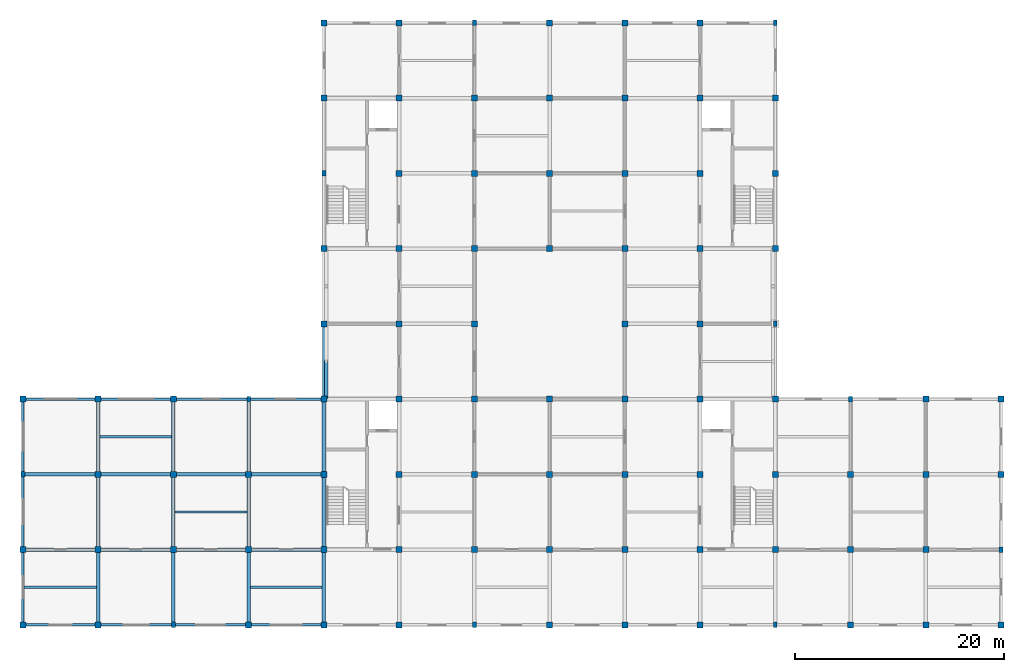
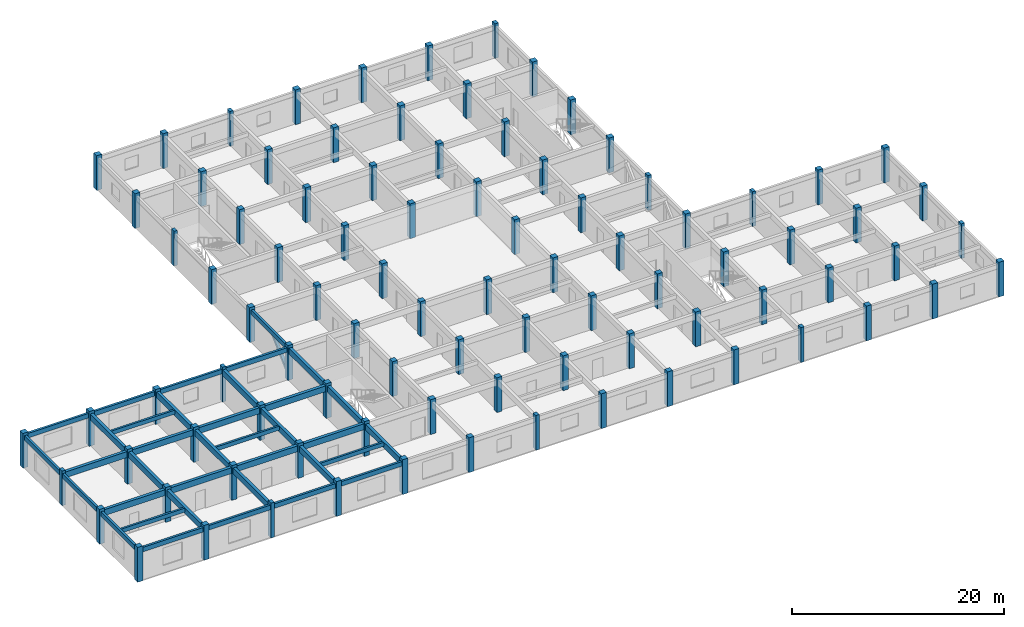
# One storey, part 1 of 10: 90 columns, 36 beams, 1 member.
"""IFC4 building model written with IfcOpenShell, lengths in metres."""

import ifcopenshell
import ifcopenshell.guid

model = None  # the IFC model being written
_history = None  # IfcOwnerHistory: only IFC2X3 demands one
_inside = {}  # id of a spatial element -> (the spatial element, [elements in it])
_under = {}  # id of a project, library or spatial element -> (it, [spatial elements below it])
_declared = {}  # id of a project -> (the project, [libraries it declares])
_typed = {}  # id of a type object -> (the type object, [elements of that type])
_made_of = {}  # id of a material, layer set ... -> (it, [elements and type objects made of it])


def new_model(schema):
    """Start an empty IFC model of exactly this schema.

    Asked for "IFC4X3", IfcOpenShell would pick the latest addendum, in which some entities
    have other attributes; the version numbers below select the first issue.
    IFC2X3 requires an IfcOwnerHistory on every rooted entity: one is made here for all.
    """
    global model, _history
    if schema == "IFC4X3":
        model = ifcopenshell.file(schema_version=(4, 3, 0, 0))
    else:
        model = ifcopenshell.file(schema=schema)
    _inside.clear()
    _under.clear()
    _declared.clear()
    _typed.clear()
    _made_of.clear()
    _history = None
    if model.schema == "IFC2X3":
        org = make("IfcOrganization", Name="unknown")
        user = make(
            "IfcPersonAndOrganization",
            ThePerson=make("IfcPerson", FamilyName="unknown"),
            TheOrganization=org,
        )
        app = make(
            "IfcApplication",
            ApplicationDeveloper=org,
            Version="unknown",
            ApplicationFullName="unknown",
            ApplicationIdentifier="unknown",
        )
        _history = make(
            "IfcOwnerHistory",
            OwningUser=user,
            OwningApplication=app,
            ChangeAction="ADDED",
            CreationDate=0,
        )
    return model


def make(cls, **values):
    """One entity of the class cls with the attributes given. An attribute that is None is left unset."""
    return model.create_entity(
        cls, **{name: value for name, value in values.items() if value is not None}
    )


def rooted(cls, **values):
    """An entity with a GlobalId (a new one), such as an element, a storey or a relation."""
    return make(cls, GlobalId=ifcopenshell.guid.new(), OwnerHistory=_history, **values)


def si_unit(unit_type, name, prefix=None):
    """IfcSIUnit, for example si_unit("LENGTHUNIT", "METRE", prefix="MILLI")."""
    return make("IfcSIUnit", UnitType=unit_type, Prefix=prefix, Name=name)


def assignment(units):
    """IfcUnitAssignment: the units of a project."""
    return None if units is None else make("IfcUnitAssignment", Units=units)


def point(xyz):
    """IfcCartesianPoint."""
    return None if xyz is None else make("IfcCartesianPoint", Coordinates=xyz)


def direction(xyz):
    """IfcDirection."""
    return None if xyz is None else make("IfcDirection", DirectionRatios=xyz)


def frame(location, z_axis=None, x_axis=None):
    """IfcAxis2Placement3D, a coordinate frame: its origin and axes. An axis left out is left unset."""
    return make(
        "IfcAxis2Placement3D",
        Location=point(location),
        Axis=direction(z_axis),
        RefDirection=direction(x_axis),
    )


def frame_2d(location, x_axis=None):
    """IfcAxis2Placement2D, a coordinate frame in the plane: its origin and x axis."""
    return make(
        "IfcAxis2Placement2D", Location=point(location), RefDirection=direction(x_axis)
    )


def origin():
    """The frame at (0, 0, 0) with its axes left unset."""
    return frame((0.0, 0.0, 0.0))


def origin_2d():
    """The frame at (0, 0) in the plane with its x axis left unset."""
    return frame_2d((0.0, 0.0))


def place(relative_to, where):
    """IfcLocalPlacement: puts the frame where relative to a parent placement (None: the world)."""
    return make(
        "IfcLocalPlacement", PlacementRelTo=relative_to, RelativePlacement=where
    )


def context(
    kind, dimensions, precision=None, world=None, true_north=None, identifier=None
):
    """IfcGeometricRepresentationContext, for example the 3D "Model" context."""
    return make(
        "IfcGeometricRepresentationContext",
        ContextIdentifier=identifier,
        ContextType=kind,
        CoordinateSpaceDimension=dimensions,
        Precision=precision,
        WorldCoordinateSystem=world,
        TrueNorth=true_north,
    )


def subcontext(parent, identifier, kind, view, scale=None):
    """IfcGeometricRepresentationSubContext, for example "Body" below "Model"."""
    return make(
        "IfcGeometricRepresentationSubContext",
        ContextIdentifier=identifier,
        ContextType=kind,
        ParentContext=parent,
        TargetScale=scale,
        TargetView=view,
    )


def project(units=None, contexts=None):
    """IfcProject with its units and contexts."""
    return rooted(
        "IfcProject",
        Name="project",
        RepresentationContexts=contexts,
        UnitsInContext=assignment(units),
    )


def spatial(cls, under=None, at=None, **own):
    """A site, building, storey or space (cls), placed at a placement, below another one or the project."""
    s = rooted(cls, ObjectPlacement=at, **own)
    if under is not None:
        _under.setdefault(under.id(), (under, []))[1].append(s)
    return s


def profile(cls, at=None, kind="AREA", **sizes):
    """A parametric profile (cls). Its sizes go by their IFC names, for example OverallWidth=200.0."""
    return make(cls, ProfileType=kind, Position=at, **sizes)


def rectangle(**sizes):
    """IfcRectangleProfileDef."""
    return profile("IfcRectangleProfileDef", **sizes)


def extrude(swept, where, along, depth):
    """IfcExtrudedAreaSolid: the profile swept, set in the frame where, extruded along a direction by depth."""
    return make(
        "IfcExtrudedAreaSolid",
        SweptArea=swept,
        Position=where,
        ExtrudedDirection=direction(along),
        Depth=depth,
    )


def shape(context_of_items, identifier, shape_type, items):
    """IfcShapeRepresentation: the items that make up one representation, for example the "Body"."""
    return make(
        "IfcShapeRepresentation",
        ContextOfItems=context_of_items,
        RepresentationIdentifier=identifier,
        RepresentationType=shape_type,
        Items=items,
    )


def material(Name=None, Category=None):
    """IfcMaterial."""
    return make("IfcMaterial", Name=Name, Category=Category)


def material_profile(
    of_material, cross_section, Name=None, Category=None, Priority=None
):
    """IfcMaterialProfile: a cross section and its material."""
    return make(
        "IfcMaterialProfile",
        Name=Name,
        Material=of_material,
        Profile=cross_section,
        Priority=Priority,
        Category=Category,
    )


def profile_set(profiles, Name=None, composite=None):
    """IfcMaterialProfileSet."""
    return make(
        "IfcMaterialProfileSet",
        Name=Name,
        MaterialProfiles=profiles,
        CompositeProfile=composite,
    )


def made_of(thing, what):
    """Note that an element or type object is made of a material, layer set ...; save() writes the relation."""
    if what is not None:
        _made_of.setdefault(what.id(), (what, []))[1].append(thing)
    return thing


def type_object(cls, material=None, **own):
    """A type object (cls), such as IfcWallType, which elements share."""
    return made_of(rooted(cls, **own), material)


def element(
    cls,
    number,
    at=None,
    inside=None,
    cuts=None,
    type_object=None,
    material=None,
    context=None,
    identifier="Body",
    shape_type=None,
    held_by="IfcProductDefinitionShape",
    body=None,
    shapes=None,
    **own,
):
    """One element of the class cls, such as IfcWall. Its Tag is "e" and its number.

    at: its placement. inside: the storey or other place that contains it. cuts: it is an
    opening in that element (IfcRelVoidsElement). A single representation is given by context,
    identifier, shape_type and body (its items); several are given by shapes. held_by: the class
    of the entity that holds the representations. save() writes the other relations.
    """
    e = rooted(cls, Tag="e%d" % number, ObjectPlacement=at, **own)
    if body is not None:
        shapes = [shape(context, identifier, shape_type, body)]
    if shapes is not None:
        e.Representation = make(held_by, Representations=shapes)
    if inside is not None:
        _inside.setdefault(inside.id(), (inside, []))[1].append(e)
    if cuts is not None:
        rooted(
            "IfcRelVoidsElement", RelatingBuildingElement=cuts, RelatedOpeningElement=e
        )
    if type_object is not None:
        _typed.setdefault(type_object.id(), (type_object, []))[1].append(e)
    return made_of(e, material)


def aggregate(whole, parts):
    """IfcRelAggregates: a whole, such as a stair, and the parts it consists of."""
    return rooted("IfcRelAggregates", RelatingObject=whole, RelatedObjects=parts)


def save(model, path):
    """Write the relations noted so far, then the file.

    IfcRelAggregates (storeys below a building ...), IfcRelContainedInSpatialStructure (elements
    in a storey), IfcRelDefinesByType, IfcRelAssociatesMaterial and IfcRelDeclares: one each for
    every whole, place, type object, material and project.
    """
    for whole, parts in _under.values():
        aggregate(whole, parts)
    for where, things in _inside.values():
        rooted(
            "IfcRelContainedInSpatialStructure",
            RelatedElements=things,
            RelatingStructure=where,
        )
    for kind, things in _typed.values():
        rooted("IfcRelDefinesByType", RelatedObjects=things, RelatingType=kind)
    for what, things in _made_of.values():
        rooted("IfcRelAssociatesMaterial", RelatedObjects=things, RelatingMaterial=what)
    for by, libraries in _declared.values():
        rooted("IfcRelDeclares", RelatingContext=by, RelatedDefinitions=libraries)
    model.write(path)


model = new_model("IFC4")

# Units and contexts
model_context = context("Model", 3, precision=1e-05, world=origin(), true_north=direction((0.0, 1.0)))
body_context = subcontext(model_context, "Body", "Model", "MODEL_VIEW")
ifc_project = project(units=[si_unit("LENGTHUNIT", "METRE"), si_unit("AREAUNIT", "SQUARE_METRE"), si_unit("VOLUMEUNIT", "CUBIC_METRE"), si_unit("PLANEANGLEUNIT", "RADIAN"), si_unit("MASSUNIT", "GRAM", prefix="KILO")], contexts=[model_context])

# Site, building, storey
site_placement = place(None, origin())
site = spatial("IfcSite", under=ifc_project, at=site_placement, CompositionType="ELEMENT")
building_placement = place(site_placement, origin())
building = spatial("IfcBuilding", under=site, at=building_placement, Name="Cendaluz Park School", CompositionType="ELEMENT")
storey_placement = place(building_placement, frame((0.0, 0.0, 38.800048828125)))
storey = spatial("IfcBuildingStorey", under=building, at=storey_placement, Name="L09", CompositionType="ELEMENT", Elevation=38.800048828125)

# Columns
ifc_material_1 = material(Name="Glulam GL32h", Category="wood")
ifc_material_profile_1 = material_profile(ifc_material_1, rectangle(XDim=0.56005859375, YDim=0.56005859375, at=origin_2d()), Name="GL32h 560x560", Category="wood")
ifc_profile_set_1 = profile_set([ifc_material_profile_1], Name="Glulam GL32h")
column_type_1 = type_object("IfcColumnType", Name="C-GL01", PredefinedType="COLUMN", material=ifc_profile_set_1)
for number, where, z_axis, x_axis, name in (
    (1, (36.0, 7.199951171875, 0.0), (0.0, 0.0, 1.0), (1.0, 0.0, 0.0), "C-L09-CGL01-001"),
    (2, (36.0, 14.39990234375, 0.0), (0.0, 0.0, 1.0), (1.0, 0.0, 0.0), "C-L09-CGL01-002"),
    (3, (36.0, 28.800048828125, 0.0), (0.0, 0.0, 1.0), (1.0, 0.0, 0.0), "C-L09-CGL01-004"),
    (4, (43.199951171875, 7.199951171875, 0.0), (0.0, 0.0, 1.0), (1.0, 0.0, 0.0), "C-L09-CGL01-005"),
    (5, (43.199951171875, 14.39990234375, 0.0), (0.0, 0.0, 1.0), (1.0, 0.0, 0.0), "C-L09-CGL01-006"),
    (6, (43.199951171875, 21.60009765625, 0.0), (0.0, 0.0, 1.0), (1.0, 0.0, 0.0), "C-L09-CGL01-007"),
    (7, (43.199951171875, 28.800048828125, 0.0), (0.0, 0.0, 1.0), (1.0, 0.0, 0.0), "C-L09-CGL01-008"),
    (8, (50.39990234375, 14.39990234375, 0.0), (0.0, 0.0, 1.0), (1.0, 0.0, 0.0), "C-L09-CGL01-010"),
    (9, (50.39990234375, 21.60009765625, 0.0), (0.0, 0.0, 1.0), (1.0, 0.0, 0.0), "C-L09-CGL01-011"),
    (10, (50.39990234375, 28.800048828125, 0.0), (0.0, 0.0, 1.0), (1.0, 0.0, 0.0), "C-L09-CGL01-012"),
    (11, (57.60009765625, 7.199951171875, 0.0), (0.0, 0.0, 1.0), (1.0, 0.0, 0.0), "C-L09-CGL01-013"),
    (12, (57.60009765625, 14.39990234375, 0.0), (0.0, 0.0, 1.0), (1.0, 0.0, 0.0), "C-L09-CGL01-014"),
    (13, (57.60009765625, 21.60009765625, 0.0), (0.0, 0.0, 1.0), (1.0, 0.0, 0.0), "C-L09-CGL01-015"),
    (14, (64.800048828125, 7.199951171875, 0.0), (0.0, 0.0, 1.0), (1.0, 0.0, 0.0), "C-L09-CGL01-017"),
    (15, (64.800048828125, 14.39990234375, 0.0), (0.0, 0.0, 1.0), (1.0, 0.0, 0.0), "C-L09-CGL01-018"),
    (16, (64.800048828125, 21.60009765625, 0.0), (0.0, 0.0, 1.0), (1.0, 0.0, 0.0), "C-L09-CGL01-019"),
    (17, (64.800048828125, 28.800048828125, 0.0), (0.0, 0.0, 1.0), (1.0, 0.0, 0.0), "C-L09-CGL01-020"),
    (18, (64.800048828125, 36.0, 0.0), (0.0, 0.0, 1.0), (1.0, 0.0, 0.0), "C-L09-CGL01-021"),
    (19, (64.800048828125, 43.199951171875, 0.0), (0.0, 0.0, 1.0), (1.0, 0.0, 0.0), "C-L09-CGL01-022"),
    (20, (64.800048828125, 57.60009765625, 0.0), (0.0, 0.0, 1.0), (1.0, 0.0, 0.0), "C-L09-CGL01-024"),
    (21, (64.800048828125, 64.800048828125, 0.0), (0.0, 0.0, 1.0), (1.0, 0.0, 0.0), "C-L09-CGL01-025"),
    (22, (72.0, 7.199951171875, 0.0), (0.0, 0.0, 1.0), (1.0, 0.0, 0.0), "C-L09-CGL01-026"),
    (23, (72.0, 14.39990234375, 0.0), (0.0, 0.0, 1.0), (1.0, 0.0, 0.0), "C-L09-CGL01-027"),
    (24, (72.0, 21.60009765625, 0.0), (0.0, 0.0, 1.0), (1.0, 0.0, 0.0), "C-L09-CGL01-028"),
    (25, (72.0, 28.800048828125, 0.0), (0.0, 0.0, 1.0), (1.0, 0.0, 0.0), "C-L09-CGL01-029"),
    (26, (72.0, 36.0, 0.0), (0.0, 0.0, 1.0), (1.0, 0.0, 0.0), "C-L09-CGL01-030"),
    (27, (72.0, 43.199951171875, 0.0), (0.0, 0.0, 1.0), (1.0, 0.0, 0.0), "C-L09-CGL01-031"),
    (28, (72.0, 50.39990234375, 0.0), (0.0, 0.0, 1.0), (1.0, 0.0, 0.0), "C-L09-CGL01-032"),
    (29, (72.0, 57.60009765625, 0.0), (0.0, 0.0, 1.0), (1.0, 0.0, 0.0), "C-L09-CGL01-033"),
    (30, (72.0, 64.800048828125, 0.0), (0.0, 0.0, 1.0), (1.0, 0.0, 0.0), "C-L09-CGL01-034"),
    (31, (79.199951171875, 14.39990234375, 0.0), (0.0, 0.0, 1.0), (1.0, 0.0, 0.0), "C-L09-CGL01-036"),
    (32, (79.199951171875, 21.60009765625, 0.0), (0.0, 0.0, 1.0), (1.0, 0.0, 0.0), "C-L09-CGL01-037"),
    (33, (79.199951171875, 28.800048828125, 0.0), (0.0, 0.0, 1.0), (1.0, 0.0, 0.0), "C-L09-CGL01-038"),
    (34, (79.199951171875, 36.0, 0.0), (0.0, 0.0, 1.0), (1.0, 0.0, 0.0), "C-L09-CGL01-039"),
    (35, (79.199951171875, 43.199951171875, 0.0), (0.0, 0.0, 1.0), (1.0, 0.0, 0.0), "C-L09-CGL01-040"),
    (36, (79.199951171875, 50.39990234375, 0.0), (0.0, 0.0, 1.0), (1.0, 0.0, 0.0), "C-L09-CGL01-041"),
    (37, (79.199951171875, 57.60009765625, 0.0), (0.0, 0.0, 1.0), (1.0, 0.0, 0.0), "C-L09-CGL01-042"),
    (38, (86.39990234375, 7.199951171875, 0.0), (0.0, 0.0, 1.0), (1.0, 0.0, 0.0), "C-L09-CGL01-044"),
    (39, (86.39990234375, 14.39990234375, 0.0), (0.0, 0.0, 1.0), (1.0, 0.0, 0.0), "C-L09-CGL01-045"),
    (40, (86.39990234375, 21.60009765625, 0.0), (0.0, 0.0, 1.0), (1.0, 0.0, 0.0), "C-L09-CGL01-046"),
    (41, (86.39990234375, 28.800048828125, 0.0), (0.0, 0.0, 1.0), (1.0, 0.0, 0.0), "C-L09-CGL01-047"),
    (42, (86.39990234375, 43.199951171875, 0.0), (0.0, 0.0, 1.0), (1.0, 0.0, 0.0), "C-L09-CGL01-048"),
    (43, (86.39990234375, 50.39990234375, 0.0), (0.0, 0.0, 1.0), (1.0, 0.0, 0.0), "C-L09-CGL01-049"),
    (44, (86.39990234375, 57.60009765625, 0.0), (0.0, 0.0, 1.0), (1.0, 0.0, 0.0), "C-L09-CGL01-050"),
    (45, (86.39990234375, 64.800048828125, 0.0), (0.0, 0.0, 1.0), (1.0, 0.0, 0.0), "C-L09-CGL01-051"),
    (46, (93.60009765625, 7.199951171875, 0.0), (0.0, 0.0, 1.0), (1.0, 0.0, 0.0), "C-L09-CGL01-052"),
    (47, (93.60009765625, 14.39990234375, 0.0), (0.0, 0.0, 1.0), (1.0, 0.0, 0.0), "C-L09-CGL01-053"),
    (48, (93.60009765625, 21.60009765625, 0.0), (0.0, 0.0, 1.0), (1.0, 0.0, 0.0), "C-L09-CGL01-054"),
    (49, (93.60009765625, 28.800048828125, 0.0), (0.0, 0.0, 1.0), (1.0, 0.0, 0.0), "C-L09-CGL01-055"),
    (50, (93.60009765625, 36.0, 0.0), (0.0, 0.0, 1.0), (1.0, 0.0, 0.0), "C-L09-CGL01-056"),
    (51, (93.60009765625, 43.199951171875, 0.0), (0.0, 0.0, 1.0), (1.0, 0.0, 0.0), "C-L09-CGL01-057"),
    (52, (93.60009765625, 50.39990234375, 0.0), (0.0, 0.0, 1.0), (1.0, 0.0, 0.0), "C-L09-CGL01-058"),
    (53, (93.60009765625, 57.60009765625, 0.0), (0.0, 0.0, 1.0), (1.0, 0.0, 0.0), "C-L09-CGL01-059"),
    (54, (93.60009765625, 64.800048828125, 0.0), (0.0, 0.0, 1.0), (1.0, 0.0, 0.0), "C-L09-CGL01-060"),
    (55, (100.800048828125, 7.199951171875, 0.0), (0.0, 0.0, 1.0), (1.0, 0.0, 0.0), "C-L09-CGL01-061"),
    (56, (100.800048828125, 14.39990234375, 0.0), (0.0, 0.0, 1.0), (1.0, 0.0, 0.0), "C-L09-CGL01-062"),
    (57, (100.800048828125, 21.60009765625, 0.0), (0.0, 0.0, 1.0), (1.0, 0.0, 0.0), "C-L09-CGL01-063"),
    (58, (100.800048828125, 28.800048828125, 0.0), (0.0, 0.0, 1.0), (1.0, 0.0, 0.0), "C-L09-CGL01-064"),
    (59, (100.800048828125, 36.0, 0.0), (0.0, 0.0, 1.0), (1.0, 0.0, 0.0), "C-L09-CGL01-065"),
    (60, (100.800048828125, 43.199951171875, 0.0), (0.0, 0.0, 1.0), (1.0, 0.0, 0.0), "C-L09-CGL01-066"),
    (61, (100.800048828125, 50.39990234375, 0.0), (0.0, 0.0, 1.0), (1.0, 0.0, 0.0), "C-L09-CGL01-067"),
    (62, (100.800048828125, 57.60009765625, 0.0), (0.0, 0.0, 1.0), (1.0, 0.0, 0.0), "C-L09-CGL01-068"),
    (63, (100.800048828125, 64.800048828125, 0.0), (0.0, 0.0, 1.0), (1.0, 0.0, 0.0), "C-L09-CGL01-069"),
    (64, (108.0, 14.39990234375, 0.0), (0.0, 0.0, 1.0), (1.0, 0.0, 0.0), "C-L09-CGL01-071"),
    (65, (108.0, 21.60009765625, 0.0), (0.0, 0.0, 1.0), (1.0, 0.0, 0.0), "C-L09-CGL01-072"),
    (66, (108.0, 28.800048828125, 0.0), (0.0, 0.0, 1.0), (1.0, 0.0, 0.0), "C-L09-CGL01-073"),
    (67, (108.0, 43.199951171875, 0.0), (0.0, 0.0, 1.0), (1.0, 0.0, 0.0), "C-L09-CGL01-075"),
    (68, (108.0, 50.39990234375, 0.0), (0.0, 0.0, 1.0), (1.0, 0.0, 0.0), "C-L09-CGL01-076"),
    (69, (108.0, 57.60009765625, 0.0), (0.0, 0.0, 1.0), (1.0, 0.0, 0.0), "C-L09-CGL01-077"),
    (70, (115.199951171875, 7.199951171875, 0.0), (0.0, 0.0, 1.0), (1.0, 0.0, 0.0), "C-L09-CGL01-079"),
    (71, (115.199951171875, 14.39990234375, 0.0), (0.0, 0.0, 1.0), (1.0, 0.0, 0.0), "C-L09-CGL01-080"),
    (72, (115.199951171875, 21.60009765625, 0.0), (0.0, 0.0, 1.0), (1.0, 0.0, 0.0), "C-L09-CGL01-081"),
    (73, (122.39990234375, 7.199951171875, 0.0), (0.0, 0.0, 1.0), (1.0, 0.0, 0.0), "C-L09-CGL01-083"),
    (74, (122.39990234375, 14.39990234375, 0.0), (0.0, 0.0, 1.0), (1.0, 0.0, 0.0), "C-L09-CGL01-084"),
    (75, (122.39990234375, 21.60009765625, 0.0), (0.0, 0.0, 1.0), (1.0, 0.0, 0.0), "C-L09-CGL01-085"),
    (76, (122.39990234375, 28.800048828125, 0.0), (0.0, 0.0, 1.0), (1.0, 0.0, 0.0), "C-L09-CGL01-086"),
    (77, (129.60009765625, 7.199951171875, 0.0), (0.0, 0.0, 1.0), (1.0, 0.0, 0.0), "C-L09-CGL01-087"),
    (78, (129.60009765625, 21.60009765625, 0.0), (0.0, 0.0, 1.0), (1.0, 0.0, 0.0), "C-L09-CGL01-089"),
    (79, (129.60009765625, 28.800048828125, 0.0), (0.0, 0.0, 1.0), (1.0, 0.0, 0.0), "C-L09-CGL01-090"),
):
    element("IfcColumn", number, at=place(storey_placement, frame(where, z_axis=z_axis, x_axis=x_axis)), inside=storey, type_object=column_type_1, Name=name, PredefinedType="COLUMN", context=body_context, shape_type="SweptSolid", body=[
        extrude(rectangle(XDim=0.56005859375, YDim=0.56005859375, at=origin_2d()), origin(), (0.0, 0.0, 1.0), 4.0),
    ])
ifc_material_profile_2 = material_profile(ifc_material_1, rectangle(XDim=0.360107421875, YDim=0.52001953125, at=origin_2d()), Name="GL32h 360x520", Category="wood")
ifc_profile_set_2 = profile_set([ifc_material_profile_2], Name="Glulam GL32h")
column_type_2 = type_object("IfcColumnType", Name="C-PL02", PredefinedType="PILASTER", material=ifc_profile_set_2)
for number, where, z_axis, x_axis, name in (
    (80, (36.0, 21.60009765625, 0.0), (0.0, 0.0, 1.0), (1.0, 0.0, 0.0), "C-L09-CPL02-003"),
    (81, (50.39990234375, 7.199951171875, 0.0), (0.0, 0.0, 1.0), (1.0, 0.0, 0.0), "C-L09-CPL02-009"),
    (82, (57.60009765625, 28.800048828125, 0.0), (0.0, 0.0, 1.0), (1.0, 0.0, 0.0), "C-L09-CPL02-016"),
    (83, (64.800048828125, 50.39990234375, 0.0), (0.0, 0.0, 1.0), (1.0, 0.0, 0.0), "C-L09-CPL02-023"),
    (84, (79.199951171875, 7.199951171875, 0.0), (0.0, 0.0, 1.0), (1.0, 0.0, 0.0), "C-L09-CPL02-035"),
    (85, (79.199951171875, 64.800048828125, 0.0), (0.0, 0.0, 1.0), (1.0, 0.0, 0.0), "C-L09-CPL02-043"),
    (86, (108.0, 7.199951171875, 0.0), (0.0, 0.0, 1.0), (1.0, 0.0, 0.0), "C-L09-CPL02-070"),
    (87, (108.0, 36.0, 0.0), (0.0, 0.0, 1.0), (1.0, 0.0, 0.0), "C-L09-CPL02-074"),
    (88, (108.0, 64.800048828125, 0.0), (0.0, 0.0, 1.0), (1.0, 0.0, 0.0), "C-L09-CPL02-078"),
    (89, (115.199951171875, 28.800048828125, 0.0), (0.0, 0.0, 1.0), (1.0, 0.0, 0.0), "C-L09-CPL02-082"),
    (90, (129.60009765625, 14.39990234375, 0.0), (0.0, 0.0, 1.0), (1.0, 0.0, 0.0), "C-L09-CPL02-088"),
):
    element("IfcColumn", number, at=place(storey_placement, frame(where, z_axis=z_axis, x_axis=x_axis)), inside=storey, type_object=column_type_2, Name=name, PredefinedType="PILASTER", context=body_context, shape_type="SweptSolid", body=[
        extrude(rectangle(XDim=0.360107421875, YDim=0.52001953125, at=origin_2d()), origin(), (0.0, 0.0, 1.0), 4.0),
    ])

# Beams
ifc_material_2 = material(Name="Glulam GL28h", Category="wood")
ifc_material_profile_3 = material_profile(ifc_material_2, rectangle(XDim=0.320068359375, YDim=0.679931640625, at=origin_2d()), Name="GL28h 320x680", Category="wood")
ifc_profile_set_3 = profile_set([ifc_material_profile_3], Name="Glulam GL28h")
beam_type_1 = type_object("IfcBeamType", Name="BM-GL01", PredefinedType="BEAM", material=ifc_profile_set_3)
beam_1_placement = place(storey_placement, frame((36.280029296875, 14.39990234375, 3.349853515625), z_axis=(1.0, 0.0, 0.0), x_axis=(0.0, 1.0, 0.0)))
element("IfcBeam", 91, at=beam_1_placement, inside=storey, type_object=beam_type_1, Name="BM-L09-BMGL01-0002", PredefinedType="BEAM", context=body_context, shape_type="SweptSolid", body=[
    extrude(rectangle(XDim=0.320068359375, YDim=0.679931640625, at=origin_2d()), origin(), (0.0, 0.0, 1.0), 6.639892578125),
])
beam_2_placement = place(storey_placement, frame((36.179931640625, 21.60009765625, 3.349853515625), z_axis=(1.0, 0.0, 0.0), x_axis=(0.0, 1.0, 0.0)))
element("IfcBeam", 92, at=beam_2_placement, inside=storey, type_object=beam_type_1, Name="BM-L09-BMGL01-0003", PredefinedType="BEAM", context=body_context, shape_type="SweptSolid", body=[
    extrude(rectangle(XDim=0.320068359375, YDim=0.679931640625, at=origin_2d()), origin(), (0.0, 0.0, 1.0), 6.739990234375),
])
for number, where, z_axis, x_axis, name in (
    (93, (43.47998046875, 14.39990234375, 3.349853515625), (1.0, 0.0, 0.0), (0.0, 1.0, 0.0), "BM-L09-BMGL01-0006"),
    (94, (43.47998046875, 21.60009765625, 3.349853515625), (1.0, 0.0, 0.0), (0.0, 1.0, 0.0), "BM-L09-BMGL01-0007"),
    (95, (50.679931640625, 14.39990234375, 3.349853515625), (1.0, 0.0, 0.0), (0.0, 1.0, 0.0), "BM-L09-BMGL01-0010"),
    (96, (50.679931640625, 21.60009765625, 3.349853515625), (1.0, 0.0, 0.0), (0.0, 1.0, 0.0), "BM-L09-BMGL01-0011"),
    (97, (57.8798828125, 14.39990234375, 3.349853515625), (1.0, 0.0, 0.0), (0.0, 1.0, 0.0), "BM-L09-BMGL01-0014"),
    (98, (57.8798828125, 21.60009765625, 3.349853515625), (1.0, 0.0, 0.0), (0.0, 1.0, 0.0), "BM-L09-BMGL01-0015"),
    (99, (43.199951171875, 7.47998046875, 3.349853515625), (0.0, 1.0, 0.0), (-1.0, 0.0, 0.0), "BM-L09-BMGL01-0080"),
    (100, (43.199951171875, 14.679931640625, 3.349853515625), (0.0, 1.0, 0.0), (-1.0, 0.0, 0.0), "BM-L09-BMGL01-0081"),
    (101, (43.199951171875, 21.8798828125, 3.349853515625), (0.0, 1.0, 0.0), (-1.0, 0.0, 0.0), "BM-L09-BMGL01-0082"),
):
    element("IfcBeam", number, at=place(storey_placement, frame(where, z_axis=z_axis, x_axis=x_axis)), inside=storey, type_object=beam_type_1, Name=name, PredefinedType="BEAM", context=body_context, shape_type="SweptSolid", body=[
        extrude(rectangle(XDim=0.320068359375, YDim=0.679931640625, at=origin_2d()), origin(), (0.0, 0.0, 1.0), 6.64013671875),
    ])
beam_3_placement = place(storey_placement, frame((50.39990234375, 7.4599609375, 3.349853515625), z_axis=(0.0, 1.0, 0.0), x_axis=(-1.0, 0.0, 0.0)))
element("IfcBeam", 102, at=beam_3_placement, inside=storey, type_object=beam_type_1, Name="BM-L09-BMGL01-0083", PredefinedType="BEAM", context=body_context, shape_type="SweptSolid", body=[
    extrude(rectangle(XDim=0.320068359375, YDim=0.679931640625, at=origin_2d()), origin(), (0.0, 0.0, 1.0), 6.66015625),
])
for number, where, z_axis, x_axis, name in (
    (103, (50.39990234375, 14.679931640625, 3.349853515625), (0.0, 1.0, 0.0), (-1.0, 0.0, 0.0), "BM-L09-BMGL01-0084"),
    (104, (50.39990234375, 21.8798828125, 3.349853515625), (0.0, 1.0, 0.0), (-1.0, 0.0, 0.0), "BM-L09-BMGL01-0085"),
    (105, (57.60009765625, 7.47998046875, 3.349853515625), (0.0, 1.0, 0.0), (-1.0, 0.0, 0.0), "BM-L09-BMGL01-0086"),
    (106, (57.60009765625, 14.679931640625, 3.349853515625), (0.0, 1.0, 0.0), (-1.0, 0.0, 0.0), "BM-L09-BMGL01-0087"),
):
    element("IfcBeam", number, at=place(storey_placement, frame(where, z_axis=z_axis, x_axis=x_axis)), inside=storey, type_object=beam_type_1, Name=name, PredefinedType="BEAM", context=body_context, shape_type="SweptSolid", body=[
        extrude(rectangle(XDim=0.320068359375, YDim=0.679931640625, at=origin_2d()), origin(), (0.0, 0.0, 1.0), 6.64013671875),
    ])
beam_4_placement = place(storey_placement, frame((57.60009765625, 21.8798828125, 3.349853515625), z_axis=(0.0, 1.0, 0.0), x_axis=(-1.0, 0.0, 0.0)))
element("IfcBeam", 107, at=beam_4_placement, inside=storey, type_object=beam_type_1, Name="BM-L09-BMGL01-0088", PredefinedType="BEAM", context=body_context, shape_type="SweptSolid", body=[
    extrude(rectangle(XDim=0.320068359375, YDim=0.679931640625, at=origin_2d()), origin(), (0.0, 0.0, 1.0), 6.66015625),
])
for number, where, z_axis, x_axis, name in (
    (108, (64.800048828125, 7.47998046875, 3.349853515625), (0.0, 1.0, 0.0), (-1.0, 0.0, 0.0), "BM-L09-BMGL01-0089"),
    (109, (64.800048828125, 14.679931640625, 3.349853515625), (0.0, 1.0, 0.0), (-1.0, 0.0, 0.0), "BM-L09-BMGL01-0090"),
    (110, (64.800048828125, 21.8798828125, 3.349853515625), (0.0, 1.0, 0.0), (-1.0, 0.0, 0.0), "BM-L09-BMGL01-0091"),
):
    element("IfcBeam", number, at=place(storey_placement, frame(where, z_axis=z_axis, x_axis=x_axis)), inside=storey, type_object=beam_type_1, Name=name, PredefinedType="BEAM", context=body_context, shape_type="SweptSolid", body=[
        extrude(rectangle(XDim=0.320068359375, YDim=0.679931640625, at=origin_2d()), origin(), (0.0, 0.0, 1.0), 6.64013671875),
    ])
ifc_material_profile_4 = material_profile(ifc_material_2, rectangle(XDim=0.239990234375, YDim=0.52001953125, at=origin_2d()), Name="GL28h 240x520", Category="wood")
ifc_profile_set_4 = profile_set([ifc_material_profile_4], Name="Glulam GL28h")
beam_type_2 = type_object("IfcBeamType", Name="BM-GL03", PredefinedType="SPANDREL", material=ifc_profile_set_4)
for number, where, z_axis, x_axis, name in (
    (111, (36.280029296875, 7.199951171875, 3.429931640625), (1.0, 0.0, 0.0), (0.0, 1.0, 0.0), "BM-L09-BMGL03-0001"),
    (112, (36.280029296875, 28.800048828125, 3.429931640625), (1.0, 0.0, 0.0), (0.0, 1.0, 0.0), "BM-L09-BMGL03-0004"),
):
    element("IfcBeam", number, at=place(storey_placement, frame(where, z_axis=z_axis, x_axis=x_axis)), inside=storey, type_object=beam_type_2, Name=name, PredefinedType="SPANDREL", context=body_context, shape_type="SweptSolid", body=[
        extrude(rectangle(XDim=0.239990234375, YDim=0.52001953125, at=origin_2d()), origin(), (0.0, 0.0, 1.0), 6.639892578125),
    ])
beam_5_placement = place(storey_placement, frame((43.47998046875, 7.199951171875, 3.429931640625), z_axis=(1.0, 0.0, 0.0), x_axis=(0.0, 1.0, 0.0)))
element("IfcBeam", 113, at=beam_5_placement, inside=storey, type_object=beam_type_2, Name="BM-L09-BMGL03-0005", PredefinedType="SPANDREL", context=body_context, shape_type="SweptSolid", body=[
    extrude(rectangle(XDim=0.239990234375, YDim=0.52001953125, at=origin_2d()), origin(), (0.0, 0.0, 1.0), 6.739990234375),
])
beam_6_placement = place(storey_placement, frame((43.47998046875, 28.800048828125, 3.429931640625), z_axis=(1.0, 0.0, 0.0), x_axis=(0.0, 1.0, 0.0)))
element("IfcBeam", 114, at=beam_6_placement, inside=storey, type_object=beam_type_2, Name="BM-L09-BMGL03-0008", PredefinedType="SPANDREL", context=body_context, shape_type="SweptSolid", body=[
    extrude(rectangle(XDim=0.239990234375, YDim=0.52001953125, at=origin_2d()), origin(), (0.0, 0.0, 1.0), 6.64013671875),
])
for number, where, z_axis, x_axis, name in (
    (115, (50.580078125, 7.199951171875, 3.429931640625), (1.0, 0.0, 0.0), (0.0, 1.0, 0.0), "BM-L09-BMGL03-0009"),
    (116, (50.679931640625, 28.800048828125, 3.429931640625), (1.0, 0.0, 0.0), (0.0, 1.0, 0.0), "BM-L09-BMGL03-0012"),
):
    element("IfcBeam", number, at=place(storey_placement, frame(where, z_axis=z_axis, x_axis=x_axis)), inside=storey, type_object=beam_type_2, Name=name, PredefinedType="SPANDREL", context=body_context, shape_type="SweptSolid", body=[
        extrude(rectangle(XDim=0.239990234375, YDim=0.52001953125, at=origin_2d()), origin(), (0.0, 0.0, 1.0), 6.739990234375),
    ])
beam_7_placement = place(storey_placement, frame((57.8798828125, 7.199951171875, 3.429931640625), z_axis=(1.0, 0.0, 0.0), x_axis=(0.0, 1.0, 0.0)))
element("IfcBeam", 117, at=beam_7_placement, inside=storey, type_object=beam_type_2, Name="BM-L09-BMGL03-0013", PredefinedType="SPANDREL", context=body_context, shape_type="SweptSolid", body=[
    extrude(rectangle(XDim=0.239990234375, YDim=0.52001953125, at=origin_2d()), origin(), (0.0, 0.0, 1.0), 6.64013671875),
])
beam_8_placement = place(storey_placement, frame((57.780029296875, 28.800048828125, 3.429931640625), z_axis=(1.0, 0.0, 0.0), x_axis=(0.0, 1.0, 0.0)))
element("IfcBeam", 118, at=beam_8_placement, inside=storey, type_object=beam_type_2, Name="BM-L09-BMGL03-0016", PredefinedType="SPANDREL", context=body_context, shape_type="SweptSolid", body=[
    extrude(rectangle(XDim=0.239990234375, YDim=0.52001953125, at=origin_2d()), origin(), (0.0, 0.0, 1.0), 6.739990234375),
])
beam_9_placement = place(storey_placement, frame((36.0, 7.47998046875, 3.429931640625), z_axis=(0.0, 1.0, 0.0), x_axis=(-1.0, 0.0, 0.0)))
element("IfcBeam", 119, at=beam_9_placement, inside=storey, type_object=beam_type_2, Name="BM-L09-BMGL03-0077", PredefinedType="SPANDREL", context=body_context, shape_type="SweptSolid", body=[
    extrude(rectangle(XDim=0.239990234375, YDim=0.52001953125, at=origin_2d()), origin(), (0.0, 0.0, 1.0), 6.64013671875),
])
beam_10_placement = place(storey_placement, frame((36.0, 14.679931640625, 3.429931640625), z_axis=(0.0, 1.0, 0.0), x_axis=(-1.0, 0.0, 0.0)))
element("IfcBeam", 120, at=beam_10_placement, inside=storey, type_object=beam_type_2, Name="BM-L09-BMGL03-0078", PredefinedType="SPANDREL", context=body_context, shape_type="SweptSolid", body=[
    extrude(rectangle(XDim=0.239990234375, YDim=0.52001953125, at=origin_2d()), origin(), (0.0, 0.0, 1.0), 6.66015625),
])
beam_11_placement = place(storey_placement, frame((36.0, 21.860107421875, 3.429931640625), z_axis=(0.0, 1.0, 0.0), x_axis=(-1.0, 0.0, 0.0)))
element("IfcBeam", 121, at=beam_11_placement, inside=storey, type_object=beam_type_2, Name="BM-L09-BMGL03-0079", PredefinedType="SPANDREL", context=body_context, shape_type="SweptSolid", body=[
    extrude(rectangle(XDim=0.239990234375, YDim=0.52001953125, at=origin_2d()), origin(), (0.0, 0.0, 1.0), 6.659912109375),
])
beam_12_placement = place(storey_placement, frame((64.800048828125, 29.080078125, 3.429931640625), z_axis=(0.0, 1.0, 0.0), x_axis=(-1.0, 0.0, 0.0)))
element("IfcBeam", 122, at=beam_12_placement, inside=storey, type_object=beam_type_2, Name="BM-L09-BMGL03-0092", PredefinedType="SPANDREL", context=body_context, shape_type="SweptSolid", body=[
    extrude(rectangle(XDim=0.239990234375, YDim=0.52001953125, at=origin_2d()), origin(), (0.0, 0.0, 1.0), 6.639892578125),
])
ifc_material_profile_5 = material_profile(ifc_material_2, rectangle(XDim=0.219970703125, YDim=0.4599609375, at=origin_2d()), Name="GL28h 220x460", Category="wood")
ifc_profile_set_5 = profile_set([ifc_material_profile_5], Name="Glulam GL28h")
beam_type_3 = type_object("IfcBeamType", Name="JT-GL01", PredefinedType="JOIST", material=ifc_profile_set_5)
beam_13_placement = place(storey_placement, frame((36.1201171875, 10.800048828125, 3.4599609375), z_axis=(1.0, 0.0, 0.0), x_axis=(0.0, 1.0, 0.0)))
element("IfcBeam", 123, at=beam_13_placement, inside=storey, type_object=beam_type_3, Name="BM-L09-JTGL01-0152", PredefinedType="JOIST", context=body_context, shape_type="SweptSolid", body=[
    extrude(rectangle(XDim=0.219970703125, YDim=0.4599609375, at=origin_2d()), origin(), (0.0, 0.0, 1.0), 6.919921875),
])
for number, where, z_axis, x_axis, name in (
    (124, (43.360107421875, 25.199951171875, 3.4599609375), (1.0, 0.0, 0.0), (0.0, 1.0, 0.0), "BM-L09-JTGL01-0153"),
    (125, (50.56005859375, 18.0, 3.4599609375), (1.0, 0.0, 0.0), (0.0, 1.0, 0.0), "BM-L09-JTGL01-0154"),
    (126, (57.760009765625, 10.800048828125, 3.4599609375), (1.0, 0.0, 0.0), (0.0, 1.0, 0.0), "BM-L09-JTGL01-0155"),
):
    element("IfcBeam", number, at=place(storey_placement, frame(where, z_axis=z_axis, x_axis=x_axis)), inside=storey, type_object=beam_type_3, Name=name, PredefinedType="JOIST", context=body_context, shape_type="SweptSolid", body=[
        extrude(rectangle(XDim=0.219970703125, YDim=0.4599609375, at=origin_2d()), origin(), (0.0, 0.0, 1.0), 6.8798828125),
    ])

# Member
ifc_material_profile_6 = material_profile(ifc_material_1, rectangle(XDim=0.300048828125, YDim=0.300048828125, at=origin_2d()), Name="GL32h 300x300", Category="wood")
ifc_profile_set_6 = profile_set([ifc_material_profile_6], Name="Glulam GL32h")
member_type = type_object("IfcMemberType", Name="MBR-03", PredefinedType="BRACE", material=ifc_profile_set_6)
member_placement = place(storey_placement, frame((65.02001953125, 28.97998046875, 0.0), z_axis=(0.0, 0.731267023111, 0.682091299541), x_axis=(-1.0, 0.0, 0.0)))
element("IfcMember", 127, at=member_placement, inside=storey, type_object=member_type, Name="MB-L09-MBBR03-0001", PredefinedType="BRACE", context=body_context, shape_type="SweptSolid", body=[
    extrude(rectangle(XDim=0.300048828125, YDim=0.300048828125, at=origin_2d()), origin(), (0.0, 0.0, 1.0), 4.6767578125),
])

save(model, "model.ifc")
